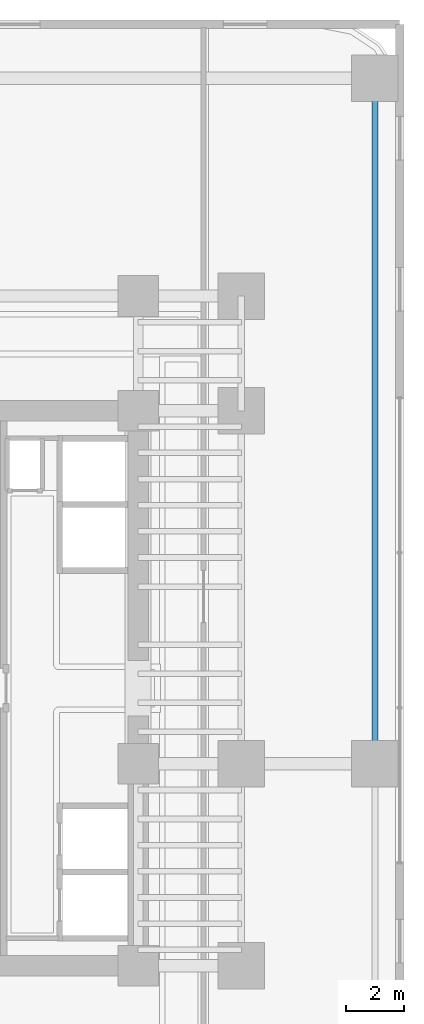
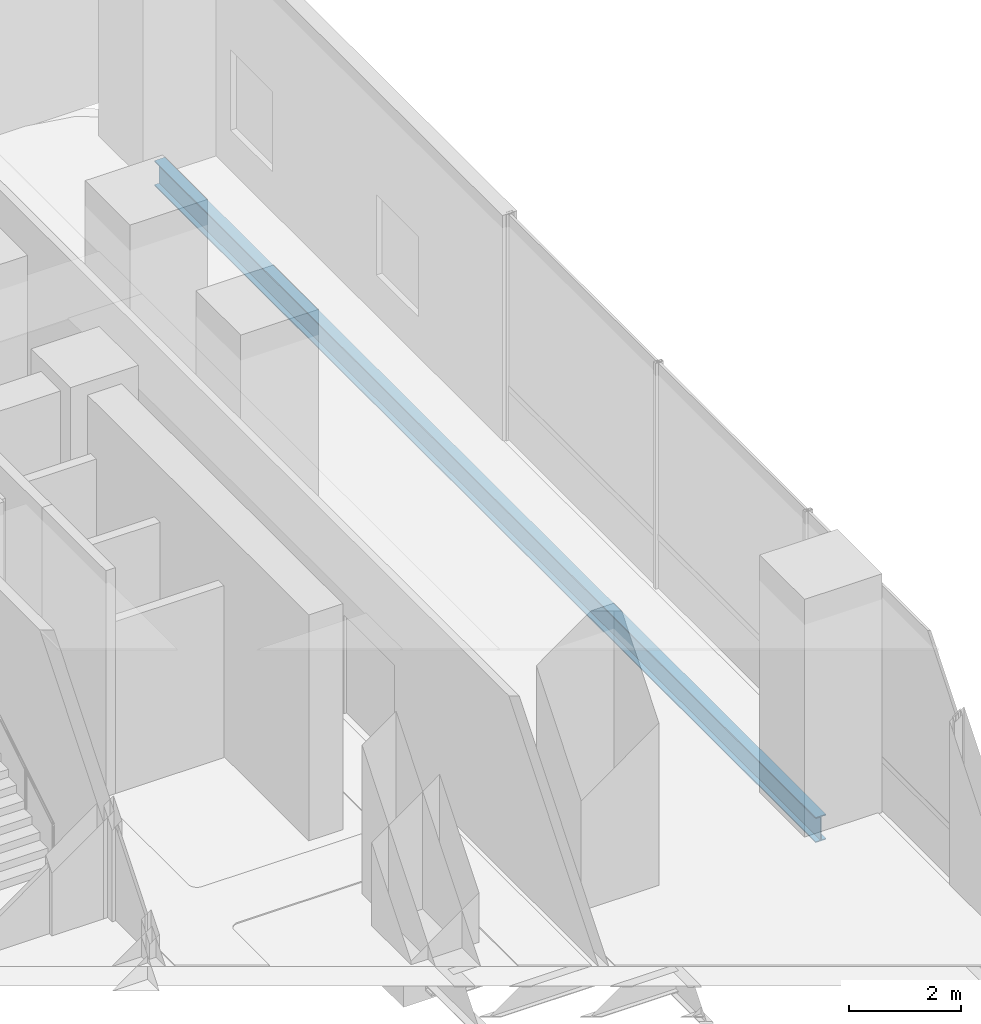
# One storey, part 23 of 39: 1 beam.
"""IFC4 building model written with IfcOpenShell, lengths in metres."""

from ifc_helpers import new_model, si_unit, direction, frame, origin, origin_2d, place, context, subcontext, project, spatial, i_section, extrude, source, transform, mapped, material, material_profile, profile_set, type_object, element, save


model = new_model("IFC4")

# Units and contexts
model_context = context("Model", 3, precision=1e-05, world=origin(), true_north=direction((0.0, 1.0)))
body_context = subcontext(model_context, "Body", "Model", "MODEL_VIEW")
ifc_project = project(units=[si_unit("LENGTHUNIT", "METRE"), si_unit("AREAUNIT", "SQUARE_METRE"), si_unit("VOLUMEUNIT", "CUBIC_METRE"), si_unit("PLANEANGLEUNIT", "RADIAN"), si_unit("MASSUNIT", "GRAM", prefix="KILO")], contexts=[model_context])

# Site, building, storey
site_placement = place(None, origin())
site = spatial("IfcSite", under=ifc_project, at=site_placement, CompositionType="ELEMENT")
building_placement = place(site_placement, origin())
building = spatial("IfcBuilding", under=site, at=building_placement, Name="Valdorenza Pilgrim Sanctuary Tower", CompositionType="ELEMENT")
storey_placement = place(building_placement, frame((0.0, 0.0, 10.39990234375)))
storey = spatial("IfcBuildingStorey", under=building, at=storey_placement, Name="L02", CompositionType="ELEMENT", Elevation=10.39990234375)

# Beam
ifc_material = material(Name="Steel ASTM A992 Grade 50", Category="steel")
ifc_material_profile = material_profile(ifc_material, i_section(OverallWidth=0.214111328125, OverallDepth=0.549072265625, WebThickness=0.0146484375, FlangeThickness=0.023681640625, at=origin_2d()), Name="W21X93")
ifc_profile_set = profile_set([ifc_material_profile], Name="Steel ASTM A992 Grade 50")
beam_type = type_object("IfcBeamType", Name="STR-BM-SPN-W21A", PredefinedType="SPANDREL", material=ifc_profile_set)
shared_shape = source(origin(), body_context, "Body", "SweptSolid", [
    extrude(i_section(OverallWidth=0.214111328125, OverallDepth=0.549072265625, WebThickness=0.0146484375, FlangeThickness=0.023681640625, at=origin_2d()), origin(), (0.0, 0.0, 1.0), 23.60009765625),
])
beam_placement = place(storey_placement, frame((33.0, -2.60009765625, -0.554443359375), z_axis=(0.0, 1.0, 0.0), x_axis=(-1.0, 0.0, 0.0)))
element("IfcBeam", 1, at=beam_placement, inside=storey, type_object=beam_type, Name="L02 Floor Girder POD-SPN-EN", PredefinedType="SPANDREL", context=body_context, shape_type="MappedRepresentation", body=[
    mapped(shared_shape, transform((0.0, 0.0, 0.0), x_axis=(1.0, 0.0, 0.0), y_axis=(0.0, 1.0, 0.0), z_axis=(0.0, 0.0, 1.0), scale=1.0)),
])

save(model, "model.ifc")
